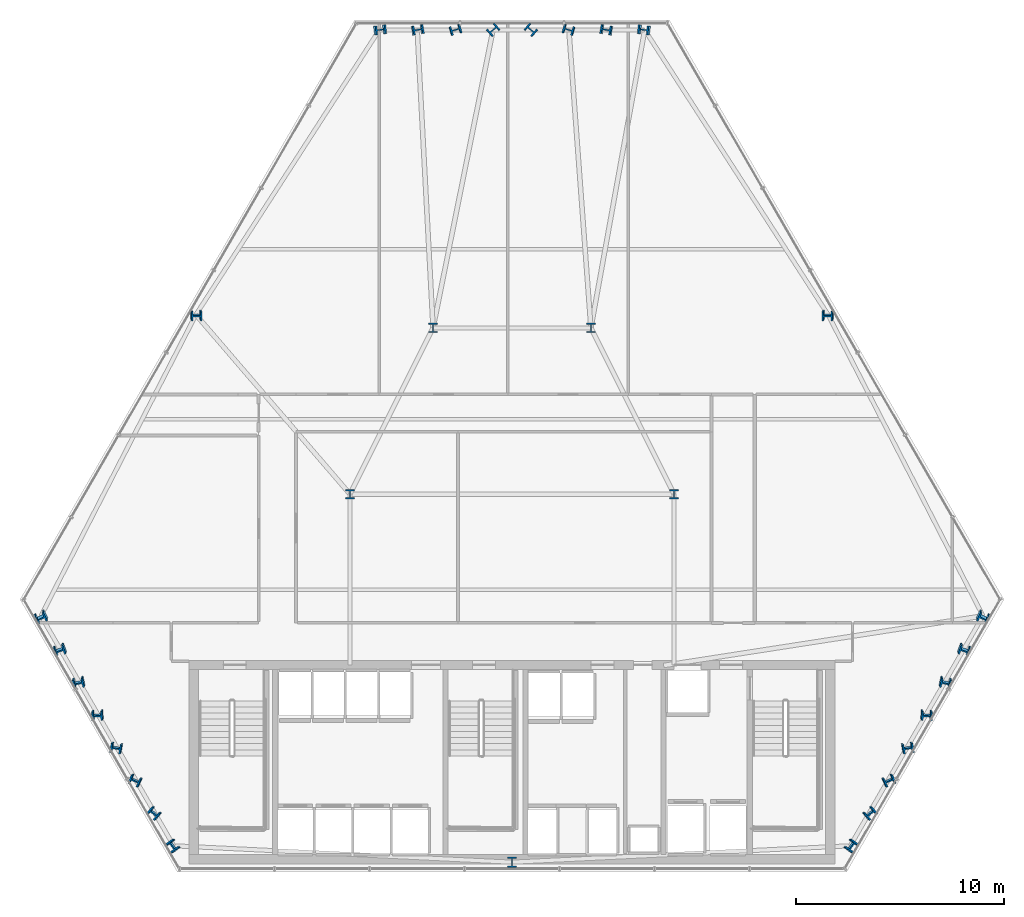
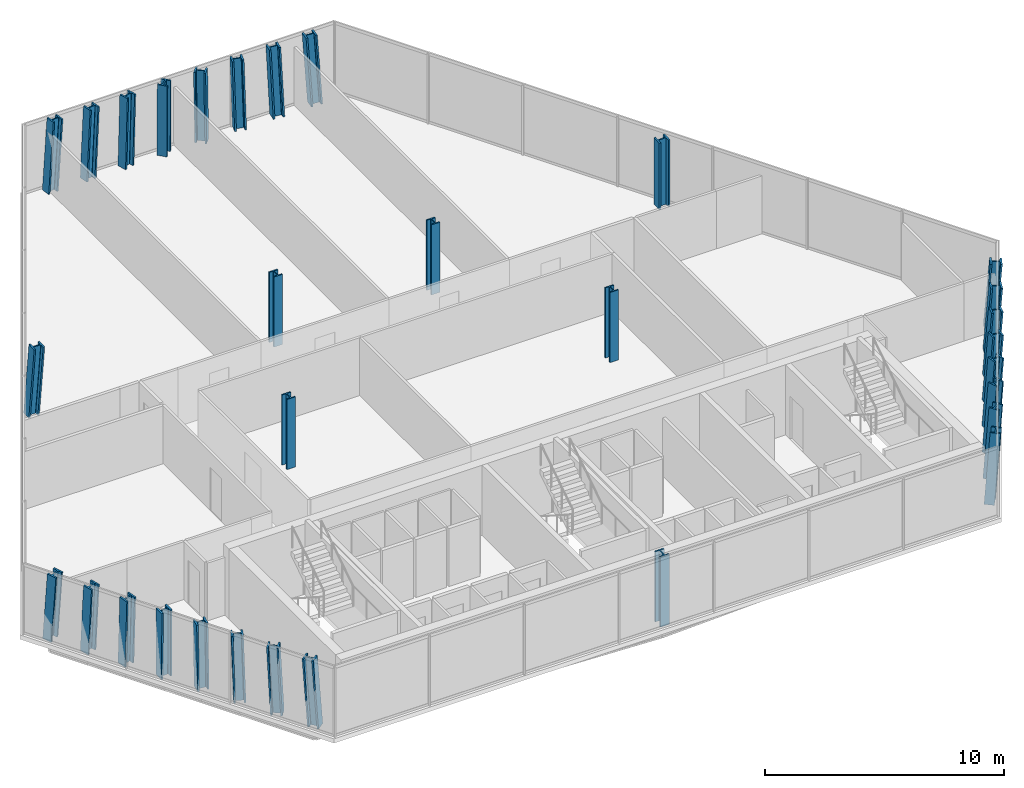
# One storey, part 1 of 32: 31 columns.
"""IFC4 building model written with IfcOpenShell, lengths in metres."""

from ifc_helpers import new_model, si_unit, direction, frame, origin, origin_2d, place, context, subcontext, project, spatial, i_section, extrude, material, material_profile, profile_set, type_object, element, save


model = new_model("IFC4")

# Units and contexts
model_context = context("Model", 3, precision=1e-05, world=origin(), true_north=direction((0.0, 1.0)))
body_context = subcontext(model_context, "Body", "Model", "MODEL_VIEW")
ifc_project = project(units=[si_unit("LENGTHUNIT", "METRE"), si_unit("AREAUNIT", "SQUARE_METRE"), si_unit("VOLUMEUNIT", "CUBIC_METRE"), si_unit("PLANEANGLEUNIT", "RADIAN"), si_unit("MASSUNIT", "GRAM", prefix="KILO")], contexts=[model_context])

# Site, building, storey
site_placement = place(None, origin())
site = spatial("IfcSite", under=ifc_project, at=site_placement, CompositionType="ELEMENT")
building_placement = place(site_placement, origin())
building = spatial("IfcBuilding", under=site, at=building_placement, Name="Ndaravel Arena Tower", CompositionType="ELEMENT")
storey_placement = place(building_placement, frame((0.0, 0.0, 77.800048828125)))
storey = spatial("IfcBuildingStorey", under=building, at=storey_placement, Name="L17", CompositionType="ELEMENT", Elevation=77.800048828125)

# Columns
ifc_material_1 = material(Name="Steel S460", Category="steel")
ifc_material_profile_1 = material_profile(ifc_material_1, i_section(OverallWidth=0.41845703125, OverallDepth=0.45556640625, WebThickness=0.0419921875, FlangeThickness=0.0673828125, FilletRadius=0.01513671875, at=origin_2d()), Name="UC 356x406x551")
ifc_profile_set_1 = profile_set([ifc_material_profile_1], Name="Steel S460")
column_type_1 = type_object("IfcColumnType", Name="COL-INT-UC551", PredefinedType="COLUMN", material=ifc_profile_set_1)
for number, where, z_axis, x_axis, name in (
    (1, (34.199951171875, 23.199951171875, 0.0), (0.0, 0.0, 1.0), (1.0, 0.0, 0.0), "L17 Interior Spine Column IC-01"),
    (2, (49.800048828125, 23.199951171875, 0.0), (0.0, 0.0, 1.0), (1.0, 0.0, 0.0), "L17 Interior Spine Column IC-02"),
    (3, (38.199951171875, 31.199951171875, 0.0), (0.0, 0.0, 1.0), (1.0, 0.0, 0.0), "L17 Interior Spine Column IC-03"),
    (4, (45.800048828125, 31.199951171875, 0.0), (0.0, 0.0, 1.0), (1.0, 0.0, 0.0), "L17 Interior Spine Column IC-04"),
):
    element("IfcColumn", number, at=place(storey_placement, frame(where, z_axis=z_axis, x_axis=x_axis)), inside=storey, type_object=column_type_1, Name=name, PredefinedType="COLUMN", context=body_context, shape_type="SweptSolid", body=[
        extrude(i_section(OverallWidth=0.41845703125, OverallDepth=0.45556640625, WebThickness=0.0419921875, FlangeThickness=0.0673828125, FilletRadius=0.01513671875, at=origin_2d()), origin(), (0.0, 0.0, 1.0), 3.579833984375),
    ])
ifc_material_2 = material(Name="Steel S460", Category="steel")
ifc_material_profile_2 = material_profile(ifc_material_2, i_section(OverallWidth=0.43701171875, OverallDepth=0.513916015625, WebThickness=0.060546875, FlangeThickness=0.076904296875, FilletRadius=0.014892578125, at=origin_2d()), Name="HD 400x818")
ifc_profile_set_2 = profile_set([ifc_material_profile_2], Name="Steel S460")
column_type_2 = type_object("IfcColumnType", Name="COL-TUBE-HD818", PredefinedType="COLUMN", material=ifc_profile_set_2)
column_1_placement = place(storey_placement, frame((42.0, 5.47998046875, 0.0), z_axis=(0.0, 0.0, 1.0), x_axis=(1.0, 0.0, 0.0)))
element("IfcColumn", 5, at=column_1_placement, inside=storey, type_object=column_type_2, Name="L17 Framed Tube Column TC-01", PredefinedType="COLUMN", context=body_context, shape_type="SweptSolid", body=[
    extrude(i_section(OverallWidth=0.43701171875, OverallDepth=0.513916015625, WebThickness=0.060546875, FlangeThickness=0.076904296875, FilletRadius=0.014892578125, at=origin_2d()), origin(), (0.0, 0.0, 1.0), 3.579833984375),
])
column_2_placement = place(storey_placement, frame((58.28662109375, 6.2705078125, 0.0), z_axis=(0.077036980807, -0.008363237987, 0.996993159374), x_axis=(-0.804414378603, 0.590266064903, 0.067107973603)))
element("IfcColumn", 6, at=column_2_placement, inside=storey, type_object=column_type_2, Name="L17 Framed Tube Column TC-02", PredefinedType="COLUMN", context=body_context, shape_type="SweptSolid", body=[
    extrude(i_section(OverallWidth=0.43701171875, OverallDepth=0.513916015625, WebThickness=0.060546875, FlangeThickness=0.076904296875, FilletRadius=0.014892578125, at=origin_2d()), origin(), (0.0, 0.0, 1.0), 3.590576171875),
])
column_3_placement = place(storey_placement, frame((59.19921875, 7.851318359375, 0.0), z_axis=(0.067477832085, -0.025032098999, 0.99740670551), x_axis=(-0.635947109951, 0.769211528445, 0.062328948751)))
element("IfcColumn", 7, at=column_3_placement, inside=storey, type_object=column_type_2, Name="L17 Framed Tube Column TC-03", PredefinedType="COLUMN", context=body_context, shape_type="SweptSolid", body=[
    extrude(i_section(OverallWidth=0.43701171875, OverallDepth=0.513916015625, WebThickness=0.060546875, FlangeThickness=0.076904296875, FilletRadius=0.014892578125, at=origin_2d()), origin(), (0.0, 0.0, 1.0), 3.589111328125),
])
column_4_placement = place(storey_placement, frame((60.11181640625, 9.43212890625, 0.0), z_axis=(0.057889342979, -0.041699373967, 0.997451746292), x_axis=(-0.40866877957, 0.910588995233, 0.061786004603)))
element("IfcColumn", 8, at=column_4_placement, inside=storey, type_object=column_type_2, Name="L17 Framed Tube Column TC-04", PredefinedType="COLUMN", context=body_context, shape_type="SweptSolid", body=[
    extrude(i_section(OverallWidth=0.43701171875, OverallDepth=0.513916015625, WebThickness=0.060546875, FlangeThickness=0.076904296875, FilletRadius=0.014892578125, at=origin_2d()), origin(), (0.0, 0.0, 1.0), 3.5888671875),
])
column_5_placement = place(storey_placement, frame((61.024658203125, 11.01318359375, 0.0), z_axis=(0.048214100692, -0.058414545126, 0.99712744492), x_axis=(-0.164075575958, 0.984264477381, 0.065594542005)))
element("IfcColumn", 9, at=column_5_placement, inside=storey, type_object=column_type_2, Name="L17 Framed Tube Column TC-05", PredefinedType="COLUMN", context=body_context, shape_type="SweptSolid", body=[
    extrude(i_section(OverallWidth=0.43701171875, OverallDepth=0.513916015625, WebThickness=0.060546875, FlangeThickness=0.076904296875, FilletRadius=0.014892578125, at=origin_2d()), origin(), (0.0, 0.0, 1.0), 3.590087890625),
])
column_6_placement = place(storey_placement, frame((61.9375, 12.593994140625, 0.0), z_axis=(0.038463129427, -0.075023489201, 0.996439693982), x_axis=(0.051243793832, 0.996013615068, 0.07301336996)))
element("IfcColumn", 10, at=column_6_placement, inside=storey, type_object=column_type_2, Name="L17 Framed Tube Column TC-06", PredefinedType="COLUMN", context=body_context, shape_type="SweptSolid", body=[
    extrude(i_section(OverallWidth=0.43701171875, OverallDepth=0.513916015625, WebThickness=0.060546875, FlangeThickness=0.076904296875, FilletRadius=0.014892578125, at=origin_2d()), origin(), (0.0, 0.0, 1.0), 3.592529296875),
])
column_7_placement = place(storey_placement, frame((62.85009765625, 14.1748046875, 0.0), z_axis=(0.02891844144, -0.09157506456, 0.995378185061), x_axis=(0.217209229225, 0.972575677884, 0.083166709256)))
element("IfcColumn", 11, at=column_7_placement, inside=storey, type_object=column_type_2, Name="L17 Framed Tube Column TC-07", PredefinedType="COLUMN", context=body_context, shape_type="SweptSolid", body=[
    extrude(i_section(OverallWidth=0.43701171875, OverallDepth=0.513916015625, WebThickness=0.060546875, FlangeThickness=0.076904296875, FilletRadius=0.014892578125, at=origin_2d()), origin(), (0.0, 0.0, 1.0), 3.596435546875),
])
column_8_placement = place(storey_placement, frame((63.7626953125, 15.755859375, 0.0), z_axis=(0.019251328517, -0.108119256986, 0.993951514219), x_axis=(0.341362230089, 0.935107767764, 0.095106732336)))
element("IfcColumn", 12, at=column_8_placement, inside=storey, type_object=column_type_2, Name="L17 Framed Tube Column TC-08", PredefinedType="COLUMN", context=body_context, shape_type="SweptSolid", body=[
    extrude(i_section(OverallWidth=0.43701171875, OverallDepth=0.513916015625, WebThickness=0.060546875, FlangeThickness=0.076904296875, FilletRadius=0.014892578125, at=origin_2d()), origin(), (0.0, 0.0, 1.0), 3.6015625),
])
column_9_placement = place(storey_placement, frame((64.675537109375, 17.336669921875, 0.0), z_axis=(0.009608437026, -0.124503691039, 0.992172620493), x_axis=(0.432402826745, 0.895171870126, 0.108143970513)))
element("IfcColumn", 13, at=column_9_placement, inside=storey, type_object=column_type_2, Name="L17 Framed Tube Column TC-09", PredefinedType="COLUMN", context=body_context, shape_type="SweptSolid", body=[
    extrude(i_section(OverallWidth=0.43701171875, OverallDepth=0.513916015625, WebThickness=0.060546875, FlangeThickness=0.076904296875, FilletRadius=0.014892578125, at=origin_2d()), origin(), (0.0, 0.0, 1.0), 3.608154296875),
])
column_10_placement = place(storey_placement, frame((57.216796875, 31.836181640625, 0.0), z_axis=(-0.036119098562, -0.062511208245, 0.997390474971), x_axis=(-0.000791919474, 0.998043181699, 0.062523438228)))
element("IfcColumn", 14, at=column_10_placement, inside=storey, type_object=column_type_2, Name="L17 Framed Tube Column TC-10", PredefinedType="COLUMN", context=body_context, shape_type="SweptSolid", body=[
    extrude(i_section(OverallWidth=0.43701171875, OverallDepth=0.513916015625, WebThickness=0.060546875, FlangeThickness=0.076904296875, FilletRadius=0.014892578125, at=origin_2d()), origin(), (0.0, 0.0, 1.0), 3.589111328125),
])
column_11_placement = place(storey_placement, frame((48.38916015625, 45.545654296875, 0.0), z_axis=(-0.067428849165, 0.008437111298, 0.997688411005), x_axis=(-0.124157967347, -0.992262464847, 0.0)))
element("IfcColumn", 15, at=column_11_placement, inside=storey, type_object=column_type_2, Name="L17 Framed Tube Column TC-11", PredefinedType="COLUMN", context=body_context, shape_type="SweptSolid", body=[
    extrude(i_section(OverallWidth=0.43701171875, OverallDepth=0.513916015625, WebThickness=0.060546875, FlangeThickness=0.076904296875, FilletRadius=0.014892578125, at=origin_2d()), origin(), (0.0, 0.0, 1.0), 3.588134765625),
])
column_12_placement = place(storey_placement, frame((46.563720703125, 45.545654296875, 0.0), z_axis=(-0.048294848466, 0.008446489718, 0.998797409099), x_axis=(-0.172279226034, -0.985048155309, 0.0)))
element("IfcColumn", 16, at=column_12_placement, inside=storey, type_object=column_type_2, Name="L17 Framed Tube Column TC-12", PredefinedType="COLUMN", context=body_context, shape_type="SweptSolid", body=[
    extrude(i_section(OverallWidth=0.43701171875, OverallDepth=0.513916015625, WebThickness=0.060546875, FlangeThickness=0.076904296875, FilletRadius=0.014892578125, at=origin_2d()), origin(), (0.0, 0.0, 1.0), 3.584228515625),
])
column_13_placement = place(storey_placement, frame((44.73828125, 45.545654296875, 0.0), z_axis=(-0.028971316487, 0.008452807634, 0.999544502693), x_axis=(-0.280086735395, -0.959974697925, 0.0)))
element("IfcColumn", 17, at=column_13_placement, inside=storey, type_object=column_type_2, Name="L17 Framed Tube Column TC-13", PredefinedType="COLUMN", context=body_context, shape_type="SweptSolid", body=[
    extrude(i_section(OverallWidth=0.43701171875, OverallDepth=0.513916015625, WebThickness=0.060546875, FlangeThickness=0.076904296875, FilletRadius=0.014892578125, at=origin_2d()), origin(), (0.0, 0.0, 1.0), 3.58154296875),
])
for number, where, z_axis, x_axis, name in (
    (18, (42.91259765625, 45.545654296875, 0.0), (-0.009615252036, 0.008455966329, 0.99991801842), (-0.660387748041, -0.750924778015, 0.0), "L17 Framed Tube Column TC-14"),
    (19, (41.08740234375, 45.545654296875, 0.0), (0.009615252036, 0.008455966329, 0.99991801842), (-0.660387748041, 0.750924778015, 0.0), "L17 Framed Tube Column TC-15"),
):
    element("IfcColumn", number, at=place(storey_placement, frame(where, z_axis=z_axis, x_axis=x_axis)), inside=storey, type_object=column_type_2, Name=name, PredefinedType="COLUMN", context=body_context, shape_type="SweptSolid", body=[
        extrude(i_section(OverallWidth=0.43701171875, OverallDepth=0.513916015625, WebThickness=0.060546875, FlangeThickness=0.076904296875, FilletRadius=0.014892578125, at=origin_2d()), origin(), (0.0, 0.0, 1.0), 3.580078125),
    ])
column_14_placement = place(storey_placement, frame((39.26171875, 45.545654296875, 0.0), z_axis=(0.028971316487, 0.008452807634, 0.999544502693), x_axis=(-0.280086735395, 0.959974697925, 0.0)))
element("IfcColumn", 20, at=column_14_placement, inside=storey, type_object=column_type_2, Name="L17 Framed Tube Column TC-16", PredefinedType="COLUMN", context=body_context, shape_type="SweptSolid", body=[
    extrude(i_section(OverallWidth=0.43701171875, OverallDepth=0.513916015625, WebThickness=0.060546875, FlangeThickness=0.076904296875, FilletRadius=0.014892578125, at=origin_2d()), origin(), (0.0, 0.0, 1.0), 3.58154296875),
])
column_15_placement = place(storey_placement, frame((37.436279296875, 45.545654296875, 0.0), z_axis=(0.048294848466, 0.008446489718, 0.998797409099), x_axis=(-0.172279226034, 0.985048155309, 0.0)))
element("IfcColumn", 21, at=column_15_placement, inside=storey, type_object=column_type_2, Name="L17 Framed Tube Column TC-17", PredefinedType="COLUMN", context=body_context, shape_type="SweptSolid", body=[
    extrude(i_section(OverallWidth=0.43701171875, OverallDepth=0.513916015625, WebThickness=0.060546875, FlangeThickness=0.076904296875, FilletRadius=0.014892578125, at=origin_2d()), origin(), (0.0, 0.0, 1.0), 3.584228515625),
])
column_16_placement = place(storey_placement, frame((35.61083984375, 45.545654296875, 0.0), z_axis=(0.067428849165, 0.008437111298, 0.997688411005), x_axis=(-0.124157967347, 0.992262464847, 0.0)))
element("IfcColumn", 22, at=column_16_placement, inside=storey, type_object=column_type_2, Name="L17 Framed Tube Column TC-18", PredefinedType="COLUMN", context=body_context, shape_type="SweptSolid", body=[
    extrude(i_section(OverallWidth=0.43701171875, OverallDepth=0.513916015625, WebThickness=0.060546875, FlangeThickness=0.076904296875, FilletRadius=0.014892578125, at=origin_2d()), origin(), (0.0, 0.0, 1.0), 3.588134765625),
])
column_17_placement = place(storey_placement, frame((26.783203125, 31.836181640625, 0.0), z_axis=(0.036119098562, -0.062511208245, 0.997390474971), x_axis=(0.000791919474, 0.998043181699, 0.062523438228)))
element("IfcColumn", 23, at=column_17_placement, inside=storey, type_object=column_type_2, Name="L17 Framed Tube Column TC-19", PredefinedType="COLUMN", context=body_context, shape_type="SweptSolid", body=[
    extrude(i_section(OverallWidth=0.43701171875, OverallDepth=0.513916015625, WebThickness=0.060546875, FlangeThickness=0.076904296875, FilletRadius=0.014892578125, at=origin_2d()), origin(), (0.0, 0.0, 1.0), 3.589111328125),
])
column_18_placement = place(storey_placement, frame((19.324462890625, 17.336669921875, 0.0), z_axis=(-0.009608437026, -0.124503691039, 0.992172620493), x_axis=(-0.432402826745, 0.895171870126, 0.108143970513)))
element("IfcColumn", 24, at=column_18_placement, inside=storey, type_object=column_type_2, Name="L17 Framed Tube Column TC-20", PredefinedType="COLUMN", context=body_context, shape_type="SweptSolid", body=[
    extrude(i_section(OverallWidth=0.43701171875, OverallDepth=0.513916015625, WebThickness=0.060546875, FlangeThickness=0.076904296875, FilletRadius=0.014892578125, at=origin_2d()), origin(), (0.0, 0.0, 1.0), 3.608154296875),
])
column_19_placement = place(storey_placement, frame((20.2373046875, 15.755859375, 0.0), z_axis=(-0.019251328517, -0.108119256986, 0.993951514219), x_axis=(-0.341362230089, 0.935107767764, 0.095106732336)))
element("IfcColumn", 25, at=column_19_placement, inside=storey, type_object=column_type_2, Name="L17 Framed Tube Column TC-21", PredefinedType="COLUMN", context=body_context, shape_type="SweptSolid", body=[
    extrude(i_section(OverallWidth=0.43701171875, OverallDepth=0.513916015625, WebThickness=0.060546875, FlangeThickness=0.076904296875, FilletRadius=0.014892578125, at=origin_2d()), origin(), (0.0, 0.0, 1.0), 3.6015625),
])
column_20_placement = place(storey_placement, frame((21.14990234375, 14.1748046875, 0.0), z_axis=(-0.02891844144, -0.09157506456, 0.995378185061), x_axis=(-0.217209229225, 0.972575677884, 0.083166709256)))
element("IfcColumn", 26, at=column_20_placement, inside=storey, type_object=column_type_2, Name="L17 Framed Tube Column TC-22", PredefinedType="COLUMN", context=body_context, shape_type="SweptSolid", body=[
    extrude(i_section(OverallWidth=0.43701171875, OverallDepth=0.513916015625, WebThickness=0.060546875, FlangeThickness=0.076904296875, FilletRadius=0.014892578125, at=origin_2d()), origin(), (0.0, 0.0, 1.0), 3.596435546875),
])
column_21_placement = place(storey_placement, frame((22.0625, 12.593994140625, 0.0), z_axis=(-0.038463129427, -0.075023489201, 0.996439693982), x_axis=(-0.051243793832, 0.996013615068, 0.07301336996)))
element("IfcColumn", 27, at=column_21_placement, inside=storey, type_object=column_type_2, Name="L17 Framed Tube Column TC-23", PredefinedType="COLUMN", context=body_context, shape_type="SweptSolid", body=[
    extrude(i_section(OverallWidth=0.43701171875, OverallDepth=0.513916015625, WebThickness=0.060546875, FlangeThickness=0.076904296875, FilletRadius=0.014892578125, at=origin_2d()), origin(), (0.0, 0.0, 1.0), 3.592529296875),
])
column_22_placement = place(storey_placement, frame((22.975341796875, 11.01318359375, 0.0), z_axis=(-0.048214100692, -0.058414545126, 0.99712744492), x_axis=(0.164075575958, 0.984264477381, 0.065594542005)))
element("IfcColumn", 28, at=column_22_placement, inside=storey, type_object=column_type_2, Name="L17 Framed Tube Column TC-24", PredefinedType="COLUMN", context=body_context, shape_type="SweptSolid", body=[
    extrude(i_section(OverallWidth=0.43701171875, OverallDepth=0.513916015625, WebThickness=0.060546875, FlangeThickness=0.076904296875, FilletRadius=0.014892578125, at=origin_2d()), origin(), (0.0, 0.0, 1.0), 3.590087890625),
])
column_23_placement = place(storey_placement, frame((23.88818359375, 9.43212890625, 0.0), z_axis=(-0.057889342979, -0.041699373967, 0.997451746292), x_axis=(0.40866877957, 0.910588995233, 0.061786004603)))
element("IfcColumn", 29, at=column_23_placement, inside=storey, type_object=column_type_2, Name="L17 Framed Tube Column TC-25", PredefinedType="COLUMN", context=body_context, shape_type="SweptSolid", body=[
    extrude(i_section(OverallWidth=0.43701171875, OverallDepth=0.513916015625, WebThickness=0.060546875, FlangeThickness=0.076904296875, FilletRadius=0.014892578125, at=origin_2d()), origin(), (0.0, 0.0, 1.0), 3.5888671875),
])
column_24_placement = place(storey_placement, frame((24.80078125, 7.851318359375, 0.0), z_axis=(-0.067477832085, -0.025032098999, 0.99740670551), x_axis=(0.635947109951, 0.769211528445, 0.062328948751)))
element("IfcColumn", 30, at=column_24_placement, inside=storey, type_object=column_type_2, Name="L17 Framed Tube Column TC-26", PredefinedType="COLUMN", context=body_context, shape_type="SweptSolid", body=[
    extrude(i_section(OverallWidth=0.43701171875, OverallDepth=0.513916015625, WebThickness=0.060546875, FlangeThickness=0.076904296875, FilletRadius=0.014892578125, at=origin_2d()), origin(), (0.0, 0.0, 1.0), 3.589111328125),
])
column_25_placement = place(storey_placement, frame((25.71337890625, 6.2705078125, 0.0), z_axis=(-0.077036980807, -0.008363237987, 0.996993159374), x_axis=(0.804414378603, 0.590266064903, 0.067107973603)))
element("IfcColumn", 31, at=column_25_placement, inside=storey, type_object=column_type_2, Name="L17 Framed Tube Column TC-27", PredefinedType="COLUMN", context=body_context, shape_type="SweptSolid", body=[
    extrude(i_section(OverallWidth=0.43701171875, OverallDepth=0.513916015625, WebThickness=0.060546875, FlangeThickness=0.076904296875, FilletRadius=0.014892578125, at=origin_2d()), origin(), (0.0, 0.0, 1.0), 3.590576171875),
])

save(model, "model.ifc")
